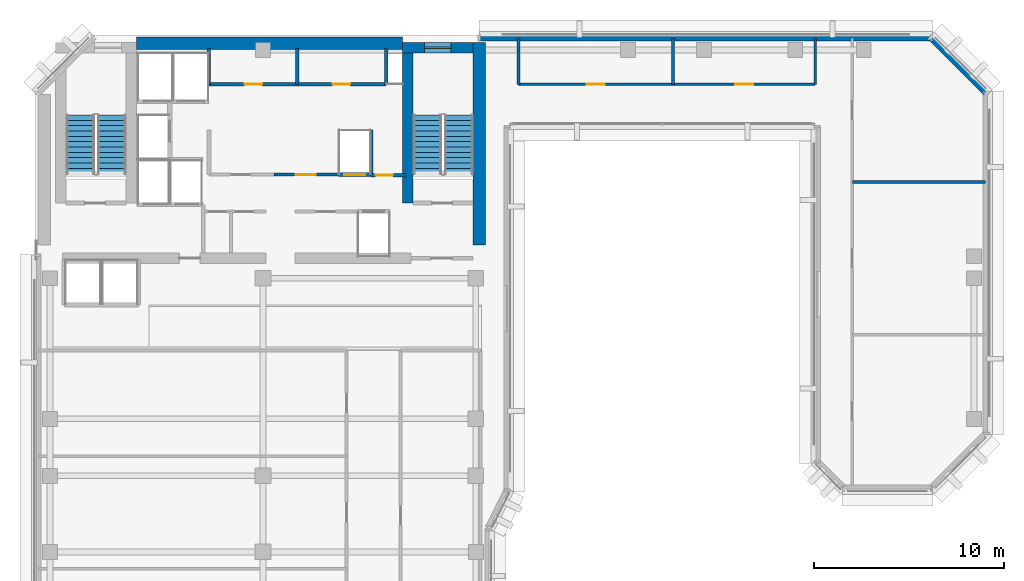
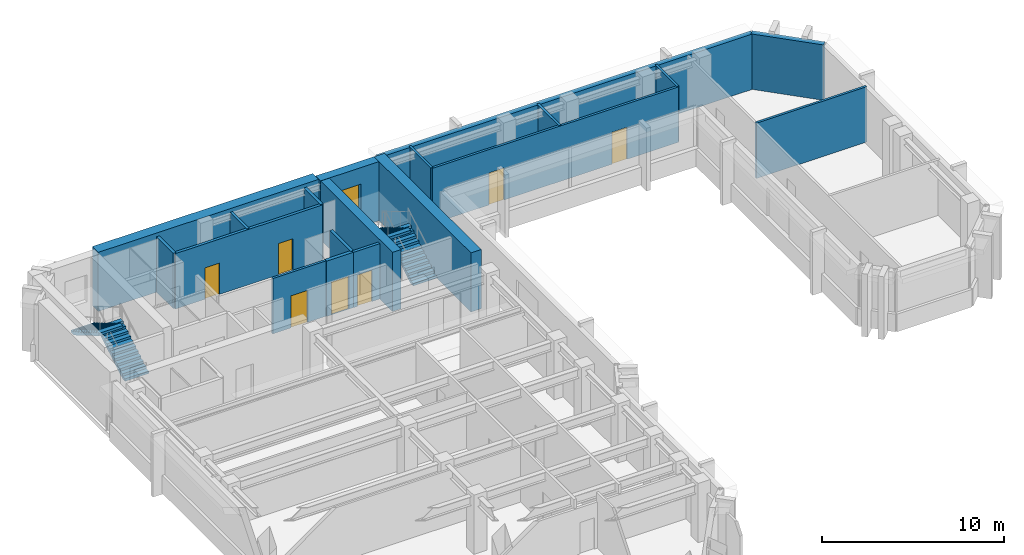
# One storey, part 7 of 11: 19 walls, 7 doors, 4 stair flights, 1 window, 8 openings, 2 elements without a shape of their own.
"""IFC4 building model written with IfcOpenShell, lengths in metres."""

from ifc_helpers import new_model, si_unit, direction, frame, frame_2d, origin, place, context, subcontext, project, spatial, polyline, rectangle, outline, extrude, material, layer, layer_set, type_object, element, fill, aggregate, save


model = new_model("IFC4")

# Units and contexts
model_context = context("Model", 3, precision=1e-05, world=origin(), true_north=direction((0.0, 1.0)))
body_context = subcontext(model_context, "Body", "Model", "MODEL_VIEW")
ifc_project = project(units=[si_unit("LENGTHUNIT", "METRE"), si_unit("AREAUNIT", "SQUARE_METRE"), si_unit("VOLUMEUNIT", "CUBIC_METRE"), si_unit("PLANEANGLEUNIT", "RADIAN"), si_unit("MASSUNIT", "GRAM", prefix="KILO")], contexts=[model_context])

# Site, building, storey
site_placement = place(None, origin())
site = spatial("IfcSite", under=ifc_project, at=site_placement, CompositionType="ELEMENT")
building_placement = place(site_placement, origin())
building = spatial("IfcBuilding", under=site, at=building_placement, Name="Kefirva Bronze Tower", CompositionType="ELEMENT")
storey_placement = place(building_placement, frame((0.0, 0.0, 223.739990234375)))
storey = spatial("IfcBuildingStorey", under=building, at=storey_placement, Name="L54", CompositionType="ELEMENT", Elevation=223.739990234375)

# Wall, opening, door
ifc_material_1 = material(Name="Gypsum acoustic partition")
ifc_layer_1 = layer(ifc_material_1, 0.14990234375, Name="Gypsum acoustic partition")
ifc_layer_set_1 = layer_set([ifc_layer_1], Name="Gypsum acoustic partition")
wall_type_1 = type_object("IfcWallType", Name="Executive Suite Partition 150mm", PredefinedType="PARTITIONING", material=ifc_layer_set_1)
wall_1_placement = place(storey_placement, frame((12.580078125, 38.64990234375, 0.0), z_axis=(0.0, 0.0, 1.0), x_axis=(1.0, 0.0, 0.0)))
wall_1 = element("IfcWall", 1, at=wall_1_placement, inside=storey, type_object=wall_type_1, Name="L54 Partition W-L54-RECMP2", PredefinedType="PARTITIONING", context=body_context, shape_type="SweptSolid", body=[
    extrude(rectangle(XDim=3.3798828125, YDim=0.14990234375, at=frame_2d((1.68994140625, 0.0))), origin(), (0.0, 0.0, 1.0), 3.7099609375),
])
opening_1_placement = place(wall_1_placement, frame((2.199951171875, 0.0, 0.0), z_axis=(0.0, 0.0, 1.0), x_axis=(-1.0, 0.0, 0.0)))
opening_1 = element("IfcOpeningElement", 2, at=opening_1_placement, cuts=wall_1, Name="Opening L54-D-RECMP2", PredefinedType="OPENING", context=body_context, shape_type="SweptSolid", body=[
    extrude(rectangle(XDim=1.050048828125, YDim=2.14990234375, at=frame_2d((0.52490234375, 1.074951171875))), frame((0.0, 0.0849609375, 0.0), z_axis=(0.0, -1.0, 0.0), x_axis=(1.0, 0.0, 0.0)), (0.0, 0.0, 1.0), 0.169921875),
])
ifc_material_2 = material(Name="Acoustic hardwood oak", Category="wood")
door_type_1 = type_object("IfcDoorType", Name="Executive & Boardroom Door 1050x2150", OperationType="NOTDEFINED", PredefinedType="DOOR", material=ifc_material_2)
door_1_placement = place(opening_1_placement, origin())
door_1 = element("IfcDoor", 3, at=door_1_placement, inside=storey, type_object=door_type_1, Name="Door L54-D-RECMP2", OperationType="SINGLE_SWING_LEFT", OverallHeight=2.14990234375, OverallWidth=1.050048828125, PredefinedType="DOOR", context=body_context, shape_type="SweptSolid", body=[
    extrude(rectangle(XDim=1.050048828125, YDim=2.14990234375, at=frame_2d((0.52490234375, 1.074951171875))), frame((0.0, 0.02490234375, 0.0), z_axis=(0.0, -1.0, 0.0), x_axis=(1.0, 0.0, 0.0)), (0.0, 0.0, 1.0), 0.050048828125),
])
fill(opening_1, door_1)

# Wall, openings, doors
wall_2_placement = place(storey_placement, frame((25.449951171875, 43.39990234375, 0.0), z_axis=(0.0, 0.0, 1.0), x_axis=(1.0, 0.0, 0.0)))
wall_2 = element("IfcWall", 4, at=wall_2_placement, inside=storey, type_object=wall_type_1, Name="L54 Partition W-L54-PBRGN", PredefinedType="PARTITIONING", context=body_context, shape_type="SweptSolid", body=[
    extrude(rectangle(XDim=15.60009765625, YDim=0.14990234375, at=frame_2d((7.800048828125, 0.0))), origin(), (0.0, 0.0, 1.0), 3.7099609375),
])
opening_2_placement = place(wall_2_placement, frame((3.5810546875, 0.0, 0.0)))
opening_2 = element("IfcOpeningElement", 5, at=opening_2_placement, cuts=wall_2, Name="Opening L54-D-PBN1", PredefinedType="OPENING", context=body_context, shape_type="SweptSolid", body=[
    extrude(rectangle(XDim=0.949951171875, YDim=2.14990234375, at=frame_2d((0.47509765625, 1.074951171875))), frame((0.0, 0.0849609375, 0.0), z_axis=(0.0, -1.0, 0.0), x_axis=(1.0, 0.0, 0.0)), (0.0, 0.0, 1.0), 0.169921875),
])
opening_3_placement = place(wall_2_placement, frame((11.381103515625, 0.0, 0.0)))
opening_3 = element("IfcOpeningElement", 6, at=opening_3_placement, cuts=wall_2, Name="Opening L54-D-PBN2", PredefinedType="OPENING", context=body_context, shape_type="SweptSolid", body=[
    extrude(rectangle(XDim=0.949951171875, YDim=2.14990234375, at=frame_2d((0.47509765625, 1.074951171875))), frame((0.0, 0.0849609375, 0.0), z_axis=(0.0, -1.0, 0.0), x_axis=(1.0, 0.0, 0.0)), (0.0, 0.0, 1.0), 0.169921875),
])
door_type_2 = type_object("IfcDoorType", Name="Office & Meeting Room Door 950x2150", OperationType="NOTDEFINED", PredefinedType="DOOR", material=ifc_material_2)
door_2_placement = place(opening_2_placement, origin())
door_2 = element("IfcDoor", 7, at=door_2_placement, inside=storey, type_object=door_type_2, Name="Door L54-D-PBN1", OperationType="SINGLE_SWING_RIGHT", OverallHeight=2.14990234375, OverallWidth=0.949951171875, PredefinedType="DOOR", context=body_context, shape_type="SweptSolid", body=[
    extrude(rectangle(XDim=0.949951171875, YDim=2.14990234375, at=frame_2d((0.47509765625, 1.074951171875))), frame((0.0, 0.02490234375, 0.0), z_axis=(0.0, -1.0, 0.0), x_axis=(1.0, 0.0, 0.0)), (0.0, 0.0, 1.0), 0.050048828125),
])
fill(opening_2, door_2)
door_3_placement = place(opening_3_placement, origin())
door_3 = element("IfcDoor", 8, at=door_3_placement, inside=storey, type_object=door_type_2, Name="Door L54-D-PBN2", OperationType="SINGLE_SWING_LEFT", OverallHeight=2.14990234375, OverallWidth=0.949951171875, PredefinedType="DOOR", context=body_context, shape_type="SweptSolid", body=[
    extrude(rectangle(XDim=0.949951171875, YDim=2.14990234375, at=frame_2d((0.47509765625, 1.074951171875))), frame((0.0, 0.02490234375, 0.0), z_axis=(0.0, -1.0, 0.0), x_axis=(1.0, 0.0, 0.0)), (0.0, 0.0, 1.0), 0.050048828125),
])
fill(opening_3, door_3)

# Walls
for number, where, z_axis, x_axis, name in (
    (9, (25.449951171875, 43.39990234375, 0.0), (0.0, 0.0, 1.0), (0.0, 1.0, 0.0), "L54 Partition W-L54-PBRGW"),
    (10, (41.050048828125, 43.39990234375, 0.0), (0.0, 0.0, 1.0), (0.0, 1.0, 0.0), "L54 Partition W-L54-PBRGE"),
    (11, (33.56201171875, 43.39990234375, 0.0), (0.0, 0.0, 1.0), (0.0, 1.0, 0.0), "L54 Partition W-L54-PBND1"),
):
    element("IfcWall", number, at=place(storey_placement, frame(where, z_axis=z_axis, x_axis=x_axis)), inside=storey, type_object=wall_type_1, Name=name, PredefinedType="PARTITIONING", context=body_context, shape_type="SweptSolid", body=[
        extrude(rectangle(XDim=2.41015625, YDim=0.14990234375, at=frame_2d((1.205078125, 0.0))), origin(), (0.0, 0.0, 1.0), 3.7099609375),
    ])
wall_3_placement = place(storey_placement, frame((43.0, 38.251708984375, 0.0), z_axis=(0.0, 0.0, 1.0), x_axis=(1.0, 0.0, 0.0)))
element("IfcWall", 12, at=wall_3_placement, inside=storey, type_object=wall_type_1, Name="L54 Partition W-L54-EPVD2", PredefinedType="PARTITIONING", context=body_context, shape_type="SweptSolid", body=[
    extrude(rectangle(XDim=7.010009765625, YDim=0.14990234375, at=frame_2d((3.5048828125, 0.0))), origin(), (0.0, 0.0, 1.0), 3.7099609375),
])
ifc_material_3 = material(Name="Gypsum fireboard shaftwall")
ifc_layer_2 = layer(ifc_material_3, 0.219970703125, Name="Gypsum fireboard shaftwall")
ifc_layer_set_2 = layer_set([ifc_layer_2], Name="Gypsum fireboard shaftwall")
wall_type_2 = type_object("IfcWallType", Name="Fire-Rated Shaft Enclosure Wall 220mm", PredefinedType="PARTITIONING", material=ifc_layer_set_2)
wall_4_placement = place(storey_placement, frame((17.679931640625, 38.64990234375, 0.0), z_axis=(0.0, 0.0, 1.0), x_axis=(0.0, 1.0, 0.0)))
element("IfcWall", 13, at=wall_4_placement, inside=storey, type_object=wall_type_2, Name="L54 Partition W-L54-HP2E", PredefinedType="PARTITIONING", context=body_context, shape_type="SweptSolid", body=[
    extrude(rectangle(XDim=2.35009765625, YDim=0.199951171875, at=frame_2d((1.175048828125, 0.0))), origin(), (0.0, 0.0, 1.0), 3.7099609375),
])

# Wall, opening, door
wall_5_placement = place(storey_placement, frame((15.97998046875, 38.64990234375, 0.0), z_axis=(0.0, 0.0, 1.0), x_axis=(1.0, 0.0, 0.0)))
wall_5 = element("IfcWall", 14, at=wall_5_placement, inside=storey, type_object=wall_type_2, Name="L54 Partition W-L54-HPN", PredefinedType="PARTITIONING", context=body_context, shape_type="SweptSolid", body=[
    extrude(rectangle(XDim=1.719970703125, YDim=0.219970703125, at=frame_2d((0.85986328125, 0.0))), origin(), (0.0, 0.0, 1.0), 3.7099609375),
])
opening_4_placement = place(wall_5_placement, frame((0.300048828125, 0.0, 0.0)))
opening_4 = element("IfcOpeningElement", 15, at=opening_4_placement, cuts=wall_5, Name="Opening L54-LD-HP2", PredefinedType="OPENING", context=body_context, shape_type="SweptSolid", body=[
    extrude(rectangle(XDim=1.10009765625, YDim=2.199951171875, at=frame_2d((0.550048828125, 1.10009765625))), frame((0.0, 0.1201171875, 0.0), z_axis=(0.0, -1.0, 0.0), x_axis=(1.0, 0.0, 0.0)), (0.0, 0.0, 1.0), 0.239990234375),
])
ifc_material_4 = material(Name="Stainless steel 316", Category="steel")
door_type_3 = type_object("IfcDoorType", Name="Passenger Lift Sliding Landing Door 1100x2200", OperationType="SLIDING_TO_LEFT", PredefinedType="DOOR", material=ifc_material_4)
door_4_placement = place(opening_4_placement, origin())
door_4 = element("IfcDoor", 16, at=door_4_placement, inside=storey, type_object=door_type_3, Name="Door L54-LD-HP2", OperationType="SLIDING_TO_LEFT", OverallHeight=2.199951171875, OverallWidth=1.10009765625, PredefinedType="DOOR", context=body_context, shape_type="SweptSolid", body=[
    extrude(rectangle(XDim=1.10009765625, YDim=2.199951171875, at=frame_2d((0.550048828125, 1.10009765625))), frame((0.0, 0.02490234375, 0.0), z_axis=(0.0, -1.0, 0.0), x_axis=(1.0, 0.0, 0.0)), (0.0, 0.0, 1.0), 0.050048828125),
])
fill(opening_4, door_4)

ifc_material_5 = material(Name="Gypsum fireboard barrier")
ifc_layer_3 = layer(ifc_material_5, 0.199951171875, Name="Gypsum fireboard barrier")
ifc_layer_set_3 = layer_set([ifc_layer_3], Name="Gypsum fireboard barrier")
wall_type_3 = type_object("IfcWallType", Name="Firefighting Lobby Barrier Wall 200mm", PredefinedType="PARTITIONING", material=ifc_layer_set_3)
wall_6_placement = place(storey_placement, frame((17.679931640625, 38.6201171875, 0.0), z_axis=(0.0, 0.0, 1.0), x_axis=(1.0, 0.0, 0.0)))
wall_6 = element("IfcWall", 17, at=wall_6_placement, inside=storey, type_object=wall_type_3, Name="L54 Partition W-L54-CPASS", PredefinedType="PARTITIONING", context=body_context, shape_type="SweptSolid", body=[
    extrude(rectangle(XDim=1.840087890625, YDim=0.179931640625, at=frame_2d((0.919921875, 0.0))), origin(), (0.0, 0.0, 1.0), 3.7099609375),
])
opening_5_placement = place(wall_6_placement, frame((0.239990234375, 0.0, 0.0)))
opening_5 = element("IfcOpeningElement", 18, at=opening_5_placement, cuts=wall_6, Name="Opening L54-D-CPAS", PredefinedType="OPENING", context=body_context, shape_type="SweptSolid", body=[
    extrude(rectangle(XDim=0.919921875, YDim=2.10009765625, at=frame_2d((0.4599609375, 1.050048828125))), frame((0.0, 0.10009765625, 0.0), z_axis=(0.0, -1.0, 0.0), x_axis=(1.0, 0.0, 0.0)), (0.0, 0.0, 1.0), 0.199951171875),
])
ifc_material_6 = material(Name="Moisture-resistant timber", Category="wood")
door_type_4 = type_object("IfcDoorType", Name="Accessible Sanitary & WC Door 920x2100", OperationType="NOTDEFINED", PredefinedType="DOOR", material=ifc_material_6)
door_5_placement = place(opening_5_placement, origin())
door_5 = element("IfcDoor", 19, at=door_5_placement, inside=storey, type_object=door_type_4, Name="Door L54-D-CPAS", OperationType="SINGLE_SWING_RIGHT", OverallHeight=2.10009765625, OverallWidth=0.919921875, PredefinedType="DOOR", context=body_context, shape_type="SweptSolid", body=[
    extrude(rectangle(XDim=0.919921875, YDim=2.10009765625, at=frame_2d((0.4599609375, 1.050048828125))), frame((0.0, 0.02490234375, 0.0), z_axis=(0.0, -1.0, 0.0), x_axis=(1.0, 0.0, 0.0)), (0.0, 0.0, 1.0), 0.050048828125),
])
fill(opening_5, door_5)

# Walls
ifc_material_7 = material(Name="Precast concrete C40/50", Category="concrete")
ifc_layer_4 = layer(ifc_material_7, 0.320068359375, Name="Precast concrete C40/50")
ifc_layer_set_4 = layer_set([ifc_layer_4], Name="Precast concrete C40/50")
wall_type_4 = type_object("IfcWallType", Name="Precast Insulated Exterior Wall 320mm", PredefinedType="SOLIDWALL", material=ifc_layer_set_4)
wall_7_placement = place(storey_placement, frame((50.048095703125, 42.92578125, 0.0), z_axis=(0.0, 0.0, 1.0), x_axis=(-0.707136318428, 0.707077242712, 0.0)))
element("IfcWall", 20, at=wall_7_placement, inside=storey, type_object=wall_type_4, Name="L54 Exterior Facade Wall 10", PredefinedType="SOLIDWALL", context=body_context, shape_type="SweptSolid", body=[
    extrude(rectangle(XDim=4.132568359375, YDim=0.320068359375, at=frame_2d((2.06640625, 0.0))), origin(), (0.0, 0.0, 1.0), 3.7099609375),
])
wall_8_placement = place(storey_placement, frame((47.14501953125, 45.840087890625, 0.0), z_axis=(0.0, 0.0, 1.0), x_axis=(-1.0, 0.0, 0.0)))
element("IfcWall", 21, at=wall_8_placement, inside=storey, type_object=wall_type_4, Name="L54 Exterior Facade Wall 11", PredefinedType="SOLIDWALL", context=body_context, shape_type="SweptSolid", body=[
    extrude(rectangle(XDim=23.739990234375, YDim=0.320068359375, at=frame_2d((11.8701171875, 0.0))), origin(), (0.0, 0.0, 1.0), 3.7099609375),
])

# Wall, opening, window
ifc_material_8 = material(Name="Concrete C50/60", Category="concrete")
ifc_layer_5 = layer(ifc_material_8, 0.550048828125, Name="Concrete C50/60")
ifc_layer_set_5 = layer_set([ifc_layer_5], Name="Concrete C50/60")
wall_type_5 = type_object("IfcWallType", Name="RC Rear Core Exterior Wall 550mm", PredefinedType="SHEAR", material=ifc_layer_set_5)
wall_9_placement = place(storey_placement, frame((19.35009765625, 45.320068359375, 0.0), z_axis=(0.0, 0.0, 1.0), x_axis=(1.0, 0.0, 0.0)))
wall_9 = element("IfcWall", 22, at=wall_9_placement, inside=storey, type_object=wall_type_5, Name="L54 Stair 2 North Shear Wall", PredefinedType="SHEAR", context=body_context, shape_type="SweptSolid", body=[
    extrude(rectangle(XDim=3.68994140625, YDim=0.550048828125, at=frame_2d((1.844970703125, 0.0))), origin(), (0.0, 0.0, 1.0), 3.9599609375),
])
opening_6_placement = place(wall_9_placement, frame((1.14990234375, 0.0, 1.050048828125)))
opening_6 = element("IfcOpeningElement", 23, at=opening_6_placement, cuts=wall_9, Name="Opening WN-03", PredefinedType="OPENING", context=body_context, shape_type="SweptSolid", body=[
    extrude(rectangle(XDim=1.39990234375, YDim=1.800048828125, at=frame_2d((0.699951171875, 0.89990234375))), frame((0.0, 0.28515625, 0.0), z_axis=(0.0, -1.0, 0.0), x_axis=(1.0, 0.0, 0.0)), (0.0, 0.0, 1.0), 0.570068359375),
])
ifc_material_9 = material(Name="Laminated low-E double glazing", Category="glass")
window_type = type_object("IfcWindowType", Name="Rear-Core Stair Daylight Window 1400x1800", PartitioningType="SINGLE_PANEL", PredefinedType="WINDOW", material=ifc_material_9)
window_placement = place(opening_6_placement, origin())
window = element("IfcWindow", 24, at=window_placement, inside=storey, type_object=window_type, Name="L54 Stair 2 Daylight Window", OverallHeight=1.800048828125, OverallWidth=1.39990234375, PartitioningType="SINGLE_PANEL", PredefinedType="WINDOW", context=body_context, shape_type="SweptSolid", body=[
    extrude(rectangle(XDim=1.39990234375, YDim=1.800048828125, at=frame_2d((0.699951171875, 0.89990234375))), frame((0.0, 0.030029296875, 0.0), z_axis=(0.0, -1.0, 0.0), x_axis=(1.0, 0.0, 0.0)), (0.0, 0.0, 1.0), 0.06005859375),
])
fill(opening_6, window)

# Walls
ifc_layer_6 = layer(ifc_material_8, 0.64990234375, Name="Concrete C50/60")
ifc_layer_set_6 = layer_set([ifc_layer_6], Name="Concrete C50/60")
wall_type_6 = type_object("IfcWallType", Name="RC Rear Core Exterior Wall 650mm", PredefinedType="SHEAR", material=ifc_layer_set_6)
wall_10_placement = place(storey_placement, frame((5.360107421875, 45.550048828125, 0.0), z_axis=(0.0, 0.0, 1.0), x_axis=(1.0, 0.0, 0.0)))
element("IfcWall", 25, at=wall_10_placement, inside=storey, type_object=wall_type_6, Name="L54 Rear Core North Shear Wall", PredefinedType="SHEAR", context=body_context, shape_type="SweptSolid", body=[
    extrude(rectangle(XDim=13.97998046875, YDim=0.64990234375, at=frame_2d((6.989990234375, 0.0))), origin(), (0.0, 0.0, 1.0), 3.9599609375),
])
ifc_layer_7 = layer(ifc_material_8, 0.550048828125, Name="Concrete C50/60")
ifc_layer_set_7 = layer_set([ifc_layer_7], Name="Concrete C50/60")
wall_type_7 = type_object("IfcWallType", Name="RC Rear Core Interior Wall 550mm", PredefinedType="SHEAR", material=ifc_layer_set_7)
wall_11_placement = place(storey_placement, frame((19.6201171875, 37.14990234375, 0.0), z_axis=(0.0, 0.0, 1.0), x_axis=(0.0, 1.0, 0.0)))
element("IfcWall", 26, at=wall_11_placement, inside=storey, type_object=wall_type_7, Name="L54 Stair 2 West Shear Wall", PredefinedType="SHEAR", context=body_context, shape_type="SweptSolid", body=[
    extrude(rectangle(XDim=7.89013671875, YDim=0.550048828125, at=frame_2d((3.945068359375, 0.0))), origin(), (0.0, 0.0, 1.0), 3.9599609375),
])
ifc_layer_8 = layer(ifc_material_8, 0.64990234375, Name="Concrete C50/60")
ifc_layer_set_8 = layer_set([ifc_layer_8], Name="Concrete C50/60")
wall_type_8 = type_object("IfcWallType", Name="RC Rear Core Interior Wall 650mm", PredefinedType="SHEAR", material=ifc_layer_set_8)
wall_12_placement = place(storey_placement, frame((23.375, 34.949951171875, 0.0), z_axis=(0.0, 0.0, 1.0), x_axis=(0.0, 1.0, 0.0)))
element("IfcWall", 27, at=wall_12_placement, inside=storey, type_object=wall_type_8, Name="L54 Rear Core East Shear Wall", PredefinedType="SHEAR", context=body_context, shape_type="SweptSolid", body=[
    extrude(rectangle(XDim=10.64013671875, YDim=0.64990234375, at=frame_2d((5.320068359375, 0.0))), origin(), (0.0, 0.0, 1.0), 3.9599609375),
])

# Wall, openings, doors
ifc_material_10 = material(Name="Moisture-resistant partition")
ifc_layer_9 = layer(ifc_material_10, 0.179931640625, Name="Moisture-resistant partition")
ifc_layer_set_9 = layer_set([ifc_layer_9], Name="Moisture-resistant partition")
wall_type_9 = type_object("IfcWallType", Name="Sanitary Plumbing Chase Wall 180mm", PredefinedType="PLUMBINGWALL", material=ifc_layer_set_9)
wall_13_placement = place(storey_placement, frame((9.14990234375, 43.39990234375, 0.0), z_axis=(0.0, 0.0, 1.0), x_axis=(1.0, 0.0, 0.0)))
wall_13 = element("IfcWall", 28, at=wall_13_placement, inside=storey, type_object=wall_type_9, Name="L54 Partition W-L54-SVCS", PredefinedType="PLUMBINGWALL", context=body_context, shape_type="SweptSolid", body=[
    extrude(rectangle(XDim=9.330078125, YDim=0.179931640625, at=frame_2d((4.6650390625, 0.0))), origin(), (0.0, 0.0, 1.0), 3.7099609375),
])
opening_7_placement = place(wall_13_placement, frame((1.8798828125, 0.0, 0.0)))
opening_7 = element("IfcOpeningElement", 29, at=opening_7_placement, cuts=wall_13, Name="Opening L54-D-CSVC1", PredefinedType="OPENING", context=body_context, shape_type="SweptSolid", body=[
    extrude(rectangle(XDim=0.919921875, YDim=2.10009765625, at=frame_2d((0.4599609375, 1.050048828125))), frame((0.0, 0.10009765625, 0.0), z_axis=(0.0, -1.0, 0.0), x_axis=(1.0, 0.0, 0.0)), (0.0, 0.0, 1.0), 0.199951171875),
])
opening_8_placement = place(wall_13_placement, frame((6.514892578125, 0.0, 0.0)))
opening_8 = element("IfcOpeningElement", 30, at=opening_8_placement, cuts=wall_13, Name="Opening L54-D-CSVC2", PredefinedType="OPENING", context=body_context, shape_type="SweptSolid", body=[
    extrude(rectangle(XDim=0.919921875, YDim=2.10009765625, at=frame_2d((0.4599609375, 1.050048828125))), frame((0.0, 0.10009765625, 0.0), z_axis=(0.0, -1.0, 0.0), x_axis=(1.0, 0.0, 0.0)), (0.0, 0.0, 1.0), 0.199951171875),
])
door_6_placement = place(opening_7_placement, origin())
door_6 = element("IfcDoor", 31, at=door_6_placement, inside=storey, type_object=door_type_4, Name="Door L54-D-CSVC1", OperationType="SINGLE_SWING_RIGHT", OverallHeight=2.10009765625, OverallWidth=0.919921875, PredefinedType="DOOR", context=body_context, shape_type="SweptSolid", body=[
    extrude(rectangle(XDim=0.919921875, YDim=2.10009765625, at=frame_2d((0.4599609375, 1.050048828125))), frame((0.0, 0.02490234375, 0.0), z_axis=(0.0, -1.0, 0.0), x_axis=(1.0, 0.0, 0.0)), (0.0, 0.0, 1.0), 0.050048828125),
])
fill(opening_7, door_6)
door_7_placement = place(opening_8_placement, origin())
door_7 = element("IfcDoor", 32, at=door_7_placement, inside=storey, type_object=door_type_4, Name="Door L54-D-CSVC2", OperationType="SINGLE_SWING_LEFT", OverallHeight=2.10009765625, OverallWidth=0.919921875, PredefinedType="DOOR", context=body_context, shape_type="SweptSolid", body=[
    extrude(rectangle(XDim=0.919921875, YDim=2.10009765625, at=frame_2d((0.4599609375, 1.050048828125))), frame((0.0, 0.02490234375, 0.0), z_axis=(0.0, -1.0, 0.0), x_axis=(1.0, 0.0, 0.0)), (0.0, 0.0, 1.0), 0.050048828125),
])
fill(opening_8, door_7)

# Walls
for number, where, z_axis, x_axis, name in (
    (33, (9.14990234375, 43.39990234375, 0.0), (0.0, 0.0, 1.0), (0.0, 1.0, 0.0), "L54 Partition W-L54-SVCW"),
    (34, (18.47998046875, 43.39990234375, 0.0), (0.0, 0.0, 1.0), (0.0, 1.0, 0.0), "L54 Partition W-L54-SVCE"),
    (35, (13.800048828125, 43.39990234375, 0.0), (0.0, 0.0, 1.0), (0.0, 1.0, 0.0), "L54 Partition W-L54-CSVD-1"),
):
    element("IfcWall", number, at=place(storey_placement, frame(where, z_axis=z_axis, x_axis=x_axis)), inside=storey, type_object=wall_type_9, Name=name, PredefinedType="PLUMBINGWALL", context=body_context, shape_type="SweptSolid", body=[
        extrude(rectangle(XDim=1.880126953125, YDim=0.179931640625, at=frame_2d((0.93994140625, 0.0))), origin(), (0.0, 0.0, 1.0), 3.7099609375),
    ])

# Stair, stair flights
ifc_material_11 = material(Name="Concrete C40/50", Category="concrete")
stair_type = type_object("IfcStairType", Name="RC Dogleg Protected Stair 24R", PredefinedType="HALF_TURN_STAIR", material=ifc_material_11)
stair_1_placement = place(storey_placement, origin())
stair_1 = element("IfcStair", 36, at=stair_1_placement, inside=storey, type_object=stair_type, Name="L54 Protected Exit Stair 1", PredefinedType="HALF_TURN_STAIR")
stair_flight_type = type_object("IfcStairFlightType", Name="RC Straight Stair Flight 24R", PredefinedType="STRAIGHT", material=ifc_material_11)
stair_flight_1_placement = place(storey_placement, frame((4.050048828125, 38.699951171875, 0.0), z_axis=(0.0, 0.0, 1.0), x_axis=(0.0, 1.0, 0.0)))
stair_flight_1 = element("IfcStairFlight", 37, at=stair_flight_1_placement, type_object=stair_flight_type, Name="ST-1 flight 1", NumberOfRisers=12, NumberOfTreads=11, PredefinedType="STRAIGHT", RiserHeight=0.165, TreadLength=0.28, context=body_context, shape_type="SweptSolid", body=[
    extrude(outline(polyline([(0.0, 0.0), (0.0, 0.1650390625), (0.280029296875, 0.1650390625), (0.280029296875, 0.330078125), (0.56005859375, 0.330078125), (0.56005859375, 0.4951171875), (0.840087890625, 0.4951171875), (0.840087890625, 0.659912109375), (1.1201171875, 0.659912109375), (1.1201171875, 0.824951171875), (1.39990234375, 0.824951171875), (1.39990234375, 0.989990234375), (1.679931640625, 0.989990234375), (1.679931640625, 1.155029296875), (1.9599609375, 1.155029296875), (1.9599609375, 1.320068359375), (2.239990234375, 1.320068359375), (2.239990234375, 1.485107421875), (2.52001953125, 1.485107421875), (2.52001953125, 1.64990234375), (2.800048828125, 1.64990234375), (2.800048828125, 1.81494140625), (3.080078125, 1.81494140625), (3.080078125, 1.97998046875), (3.080078125, 1.64111328125), (0.295166015625, 0.0), (0.0, 0.0)])), frame((0.0, 0.75, 0.0), z_axis=(0.0, -1.0, 0.0), x_axis=(1.0, 0.0, 0.0)), (0.0, 0.0, 1.0), 1.5),
])
stair_flight_2_placement = place(storey_placement, frame((2.39990234375, 41.780029296875, 1.97998046875), z_axis=(0.0, 0.0, 1.0), x_axis=(0.0, -1.0, 0.0)))
stair_flight_2 = element("IfcStairFlight", 38, at=stair_flight_2_placement, type_object=stair_flight_type, Name="ST-1 flight 2", NumberOfRisers=12, NumberOfTreads=11, PredefinedType="STRAIGHT", RiserHeight=0.165, TreadLength=0.28, context=body_context, shape_type="SweptSolid", body=[
    extrude(outline(polyline([(0.0, 0.0), (0.0, 0.1650390625), (0.280029296875, 0.1650390625), (0.280029296875, 0.330078125), (0.56005859375, 0.330078125), (0.56005859375, 0.4951171875), (0.840087890625, 0.4951171875), (0.840087890625, 0.659912109375), (1.1201171875, 0.659912109375), (1.1201171875, 0.824951171875), (1.39990234375, 0.824951171875), (1.39990234375, 0.989990234375), (1.679931640625, 0.989990234375), (1.679931640625, 1.155029296875), (1.9599609375, 1.155029296875), (1.9599609375, 1.320068359375), (2.239990234375, 1.320068359375), (2.239990234375, 1.485107421875), (2.52001953125, 1.485107421875), (2.52001953125, 1.64990234375), (2.800048828125, 1.64990234375), (2.800048828125, 1.81494140625), (3.080078125, 1.81494140625), (3.080078125, 1.97998046875), (3.080078125, 1.64111328125), (0.295166015625, 0.0), (0.0, 0.0)])), frame((0.0, 0.75, 0.0), z_axis=(0.0, -1.0, 0.0), x_axis=(1.0, 0.0, 0.0)), (0.0, 0.0, 1.0), 1.5),
])
aggregate(stair_1, [stair_flight_1, stair_flight_2])

stair_2_placement = place(storey_placement, origin())
stair_2 = element("IfcStair", 39, at=stair_2_placement, inside=storey, type_object=stair_type, Name="L54 Protected Exit Stair 2", PredefinedType="HALF_TURN_STAIR")
stair_flight_3_placement = place(storey_placement, frame((22.300048828125, 38.699951171875, 0.0), z_axis=(0.0, 0.0, 1.0), x_axis=(0.0, 1.0, 0.0)))
stair_flight_3 = element("IfcStairFlight", 40, at=stair_flight_3_placement, type_object=stair_flight_type, Name="ST-2 flight 1", NumberOfRisers=12, NumberOfTreads=11, PredefinedType="STRAIGHT", RiserHeight=0.165, TreadLength=0.28, context=body_context, shape_type="SweptSolid", body=[
    extrude(outline(polyline([(0.0, 0.0), (0.0, 0.1650390625), (0.280029296875, 0.1650390625), (0.280029296875, 0.330078125), (0.56005859375, 0.330078125), (0.56005859375, 0.4951171875), (0.840087890625, 0.4951171875), (0.840087890625, 0.659912109375), (1.1201171875, 0.659912109375), (1.1201171875, 0.824951171875), (1.39990234375, 0.824951171875), (1.39990234375, 0.989990234375), (1.679931640625, 0.989990234375), (1.679931640625, 1.155029296875), (1.9599609375, 1.155029296875), (1.9599609375, 1.320068359375), (2.239990234375, 1.320068359375), (2.239990234375, 1.485107421875), (2.52001953125, 1.485107421875), (2.52001953125, 1.64990234375), (2.800048828125, 1.64990234375), (2.800048828125, 1.81494140625), (3.080078125, 1.81494140625), (3.080078125, 1.97998046875), (3.080078125, 1.64111328125), (0.295166015625, 0.0), (0.0, 0.0)])), frame((0.0, 0.75, 0.0), z_axis=(0.0, -1.0, 0.0), x_axis=(1.0, 0.0, 0.0)), (0.0, 0.0, 1.0), 1.5),
])
stair_flight_4_placement = place(storey_placement, frame((20.64990234375, 41.780029296875, 1.97998046875), z_axis=(0.0, 0.0, 1.0), x_axis=(0.0, -1.0, 0.0)))
stair_flight_4 = element("IfcStairFlight", 41, at=stair_flight_4_placement, type_object=stair_flight_type, Name="ST-2 flight 2", NumberOfRisers=12, NumberOfTreads=11, PredefinedType="STRAIGHT", RiserHeight=0.165, TreadLength=0.28, context=body_context, shape_type="SweptSolid", body=[
    extrude(outline(polyline([(0.0, 0.0), (0.0, 0.1650390625), (0.280029296875, 0.1650390625), (0.280029296875, 0.330078125), (0.56005859375, 0.330078125), (0.56005859375, 0.4951171875), (0.840087890625, 0.4951171875), (0.840087890625, 0.659912109375), (1.1201171875, 0.659912109375), (1.1201171875, 0.824951171875), (1.39990234375, 0.824951171875), (1.39990234375, 0.989990234375), (1.679931640625, 0.989990234375), (1.679931640625, 1.155029296875), (1.9599609375, 1.155029296875), (1.9599609375, 1.320068359375), (2.239990234375, 1.320068359375), (2.239990234375, 1.485107421875), (2.52001953125, 1.485107421875), (2.52001953125, 1.64990234375), (2.800048828125, 1.64990234375), (2.800048828125, 1.81494140625), (3.080078125, 1.81494140625), (3.080078125, 1.97998046875), (3.080078125, 1.64111328125), (0.295166015625, 0.0), (0.0, 0.0)])), frame((0.0, 0.75, 0.0), z_axis=(0.0, -1.0, 0.0), x_axis=(1.0, 0.0, 0.0)), (0.0, 0.0, 1.0), 1.5),
])
aggregate(stair_2, [stair_flight_3, stair_flight_4])

save(model, "model.ifc")
